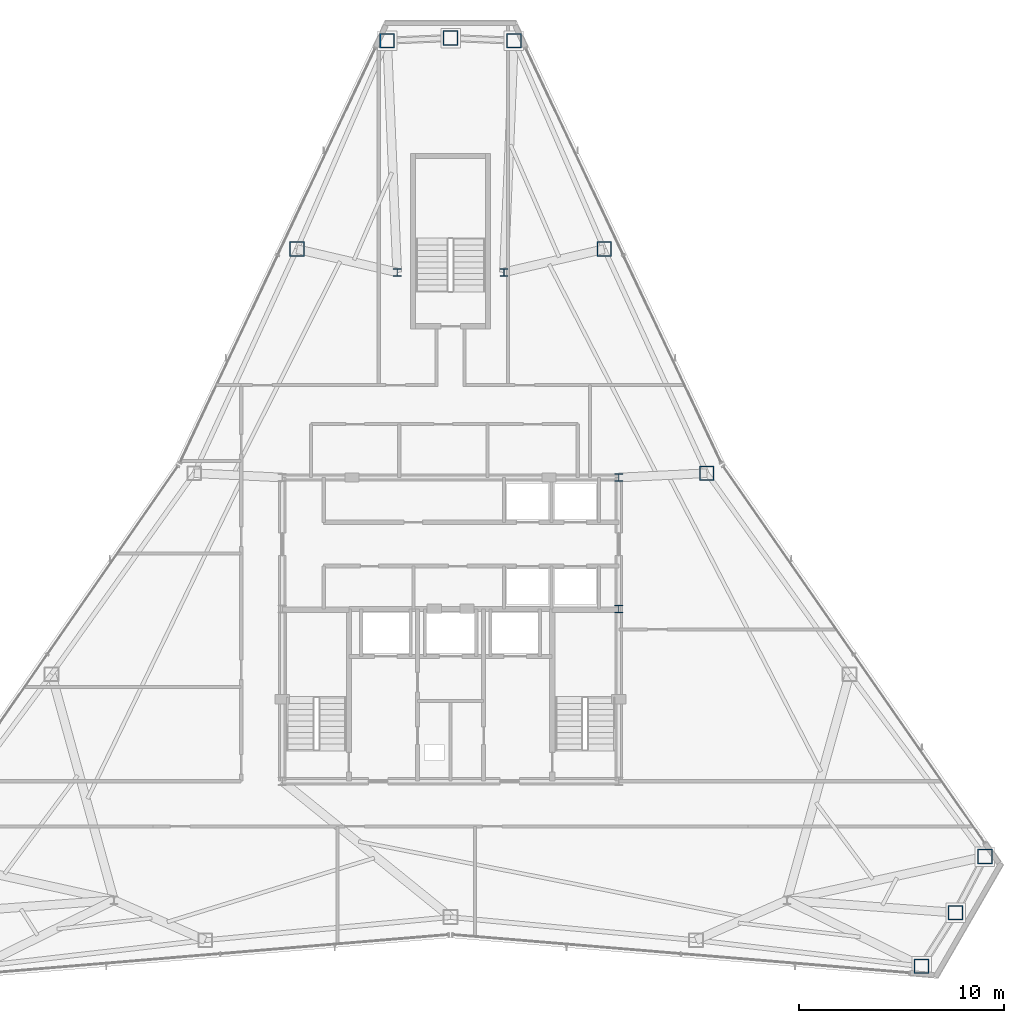
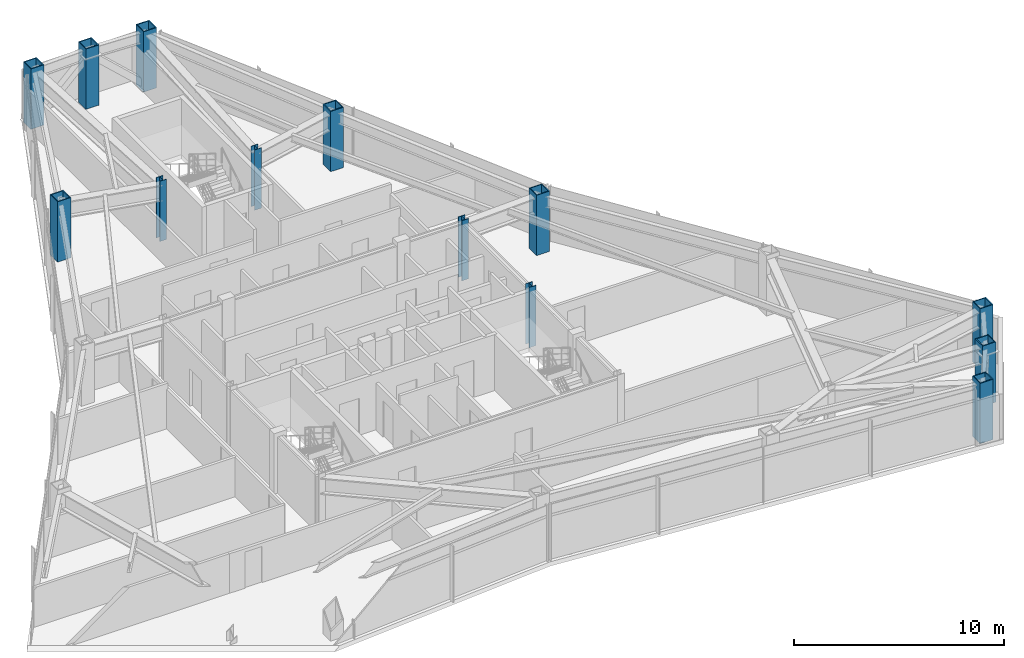
# One storey, part 2 of 12: 13 columns.
"""IFC4 building model written with IfcOpenShell, lengths in metres."""

from ifc_helpers import new_model, si_unit, direction, frame, origin, origin_2d, place, context, subcontext, project, spatial, hollow_rectangle, i_section, extrude, material, material_profile, profile_set, type_object, element, save


model = new_model("IFC4")

# Units and contexts
model_context = context("Model", 3, precision=1e-05, world=origin(), true_north=direction((0.0, 1.0)))
body_context = subcontext(model_context, "Body", "Model", "MODEL_VIEW")
ifc_project = project(units=[si_unit("LENGTHUNIT", "METRE"), si_unit("AREAUNIT", "SQUARE_METRE"), si_unit("VOLUMEUNIT", "CUBIC_METRE"), si_unit("PLANEANGLEUNIT", "RADIAN"), si_unit("MASSUNIT", "GRAM", prefix="KILO")], contexts=[model_context])

# Site, building, storey
site_placement = place(None, origin())
site = spatial("IfcSite", under=ifc_project, at=site_placement, CompositionType="ELEMENT")
building_placement = place(site_placement, origin())
building = spatial("IfcBuilding", under=site, at=building_placement, Name="Varakhsha Concourse Tower", CompositionType="ELEMENT")
storey_placement = place(building_placement, frame((0.0, 0.0, 225.89990234375)))
storey = spatial("IfcBuildingStorey", under=building, at=storey_placement, Name="L64", CompositionType="ELEMENT", Elevation=225.89990234375)

# Columns
ifc_material_1 = material(Name="Structural Steel ASTM A992 Grade 50", Category="steel")
ifc_material_profile_1 = material_profile(ifc_material_1, i_section(OverallWidth=0.3740234375, OverallDepth=0.3720703125, WebThickness=0.01611328125, FlangeThickness=0.02587890625, at=origin_2d()), Name="W14X132")
ifc_profile_set_1 = profile_set([ifc_material_profile_1], Name="Structural Steel ASTM A992 Grade 50")
column_type_1 = type_object("IfcColumnType", Name="CL-CORE-W14X132", PredefinedType="COLUMN", material=ifc_profile_set_1)
for number, where, z_axis, x_axis, name in (
    (1, (48.199951171875, 24.800048828125, 0.0), (0.0, 0.0, 1.0), (1.0, 0.0, 0.0), "L64 Core Column CC-ME"),
    (2, (48.199951171875, 31.199951171875, 0.0), (0.0, 0.0, 1.0), (1.0, 0.0, 0.0), "L64 Core Column CC-NE"),
    (3, (37.39990234375, 41.199951171875, 0.0), (0.0, 0.0, 1.0), (1.0, 0.0, 0.0), "L64 Core Column NS-W"),
    (4, (42.60009765625, 41.199951171875, 0.0), (0.0, 0.0, 1.0), (1.0, 0.0, 0.0), "L64 Core Column NS-E"),
):
    element("IfcColumn", number, at=place(storey_placement, frame(where, z_axis=z_axis, x_axis=x_axis)), inside=storey, type_object=column_type_1, Name=name, PredefinedType="COLUMN", context=body_context, shape_type="SweptSolid", body=[
        extrude(i_section(OverallWidth=0.3740234375, OverallDepth=0.3720703125, WebThickness=0.01611328125, FlangeThickness=0.02587890625, at=origin_2d()), origin(), (0.0, 0.0, 1.0), 3.5),
    ])
ifc_material_2 = material(Name="Structural Steel ASTM A572 Grade 50", Category="steel")
ifc_material_profile_2 = material_profile(ifc_material_2, hollow_rectangle(XDim=0.719970703125, YDim=0.719970703125, WallThickness=0.050048828125, at=origin_2d()), Name="BOX 720x720x50")
ifc_profile_set_2 = profile_set([ifc_material_profile_2], Name="Structural Steel ASTM A572 Grade 50")
column_type_2 = type_object("IfcColumnType", Name="CL-TUBE-720", PredefinedType="COLUMN", material=ifc_profile_set_2)
for number, where, z_axis, x_axis, name in (
    (5, (43.090087890625, 52.491455078125, 0.0), (0.0, 0.0, 1.0), (1.0, 0.0, 0.0), "L64 Framed-Tube Column TC01"),
    (6, (40.0, 52.617431640625, 0.0), (0.0, 0.0, 1.0), (1.0, 0.0, 0.0), "L64 Framed-Tube Column TC02"),
    (7, (36.909912109375, 52.491455078125, 0.0), (0.0, 0.0, 1.0), (1.0, 0.0, 0.0), "L64 Framed-Tube Column TC03"),
    (8, (32.512939453125, 42.332275390625, 0.0), (0.0, 0.0, 1.0), (1.0, 0.0, 0.0), "L64 Framed-Tube Column TC04"),
    (9, (62.9560546875, 7.378173828125, 0.0), (0.0, 0.0, 1.0), (1.0, 0.0, 0.0), "L64 Framed-Tube Column TC13"),
    (10, (64.610107421875, 9.9912109375, 0.0), (0.0, 0.0, 1.0), (1.0, 0.0, 0.0), "L64 Framed-Tube Column TC14"),
    (11, (66.046142578125, 12.73046875, 0.0), (0.0, 0.0, 1.0), (1.0, 0.0, 0.0), "L64 Framed-Tube Column TC15"),
    (12, (52.489990234375, 31.4111328125, 0.0), (0.0, 0.0, 1.0), (1.0, 0.0, 0.0), "L64 Framed-Tube Column TC17"),
    (13, (47.487060546875, 42.332275390625, 0.0), (0.0, 0.0, 1.0), (1.0, 0.0, 0.0), "L64 Framed-Tube Column TC18"),
):
    element("IfcColumn", number, at=place(storey_placement, frame(where, z_axis=z_axis, x_axis=x_axis)), inside=storey, type_object=column_type_2, Name=name, PredefinedType="COLUMN", context=body_context, shape_type="SweptSolid", body=[
        extrude(hollow_rectangle(XDim=0.719970703125, YDim=0.719970703125, WallThickness=0.050048828125, at=origin_2d()), origin(), (0.0, 0.0, 1.0), 3.5),
    ])

save(model, "model.ifc")
